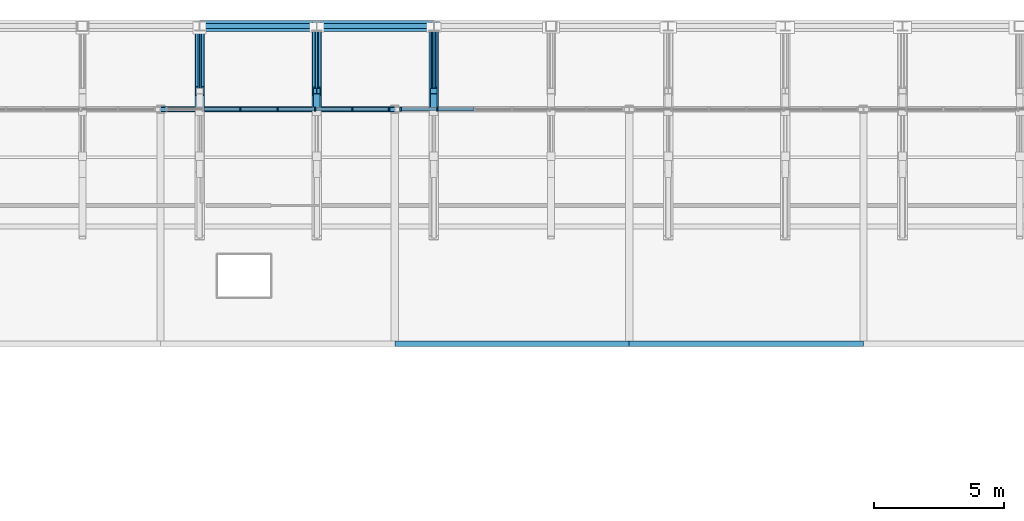
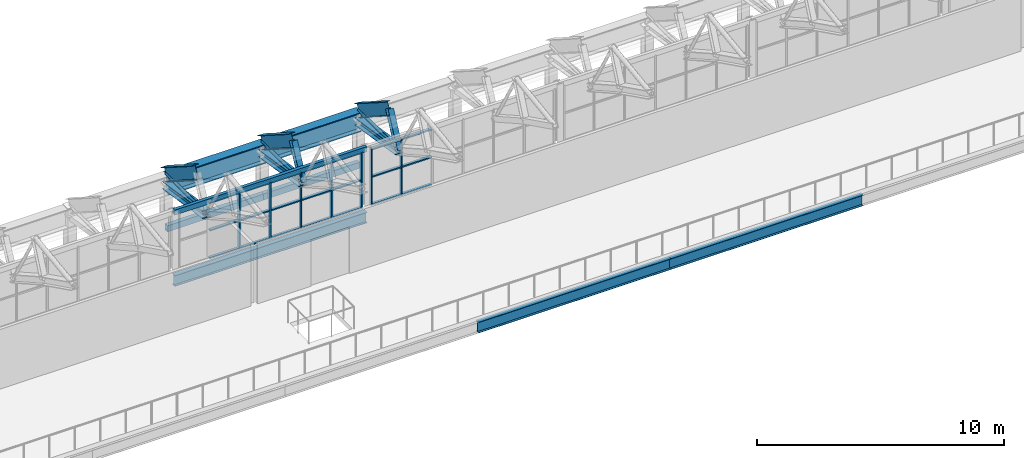
# One storey, part 68 of 134: 36 members, 11 beams, 2 elements without a shape of their own.
"""IFC4 building model written with IfcOpenShell, lengths in metres."""

from ifc_helpers import new_model, si_unit, direction, frame, origin, origin_2d, place, context, subcontext, project, spatial, rectangle, hollow_rectangle, hollow_circle, i_section, extrude, material, layer, layer_set, material_profile, profile_set, type_object, element, aggregate, save


model = new_model("IFC4")

# Units and contexts
model_context = context("Model", 3, precision=1e-05, world=origin(), true_north=direction((0.0, 1.0)))
body_context = subcontext(model_context, "Body", "Model", "MODEL_VIEW")
ifc_project = project(units=[si_unit("LENGTHUNIT", "METRE"), si_unit("AREAUNIT", "SQUARE_METRE"), si_unit("VOLUMEUNIT", "CUBIC_METRE"), si_unit("PLANEANGLEUNIT", "RADIAN"), si_unit("MASSUNIT", "GRAM", prefix="KILO")], contexts=[model_context])

# Site, building, storey
site_placement = place(None, origin())
site = spatial("IfcSite", under=ifc_project, at=site_placement, CompositionType="ELEMENT")
building_placement = place(site_placement, origin())
building = spatial("IfcBuilding", under=site, at=building_placement, Name="Cazmaro Siding Exhibition Halls", CompositionType="ELEMENT")
storey_placement = place(building_placement, frame((0.0, 0.0, 12.0)))
storey = spatial("IfcBuildingStorey", under=building, at=storey_placement, Name="L02", CompositionType="ELEMENT", Elevation=12.0)

# Beams
ifc_material_1 = material(Name="Steel ASTM A992 Grade 50", Category="steel")
ifc_material_profile_1 = material_profile(ifc_material_1, i_section(OverallWidth=0.327880859375, OverallDepth=0.626953125, WebThickness=0.01708984375, FlangeThickness=0.028076171875, at=origin_2d()), Name="W24X146")
ifc_profile_set_1 = profile_set([ifc_material_profile_1], Name="Steel ASTM A992 Grade 50")
beam_type_1 = type_object("IfcBeamType", Name="AR-01", PredefinedType="USERDEFINED", material=ifc_profile_set_1)
beam_1_placement = place(storey_placement, frame((85.5, 121.5, 3.89306640625), z_axis=(0.0, 0.843339173298, -0.537381650954), x_axis=(-1.0, 0.0, 0.0)))
element("IfcBeam", 1, at=beam_1_placement, inside=storey, type_object=beam_type_1, Name="Space frame barrel vault arched rib AR-01 BM-0774", ObjectType="ARCHED RIB", PredefinedType="USERDEFINED", context=body_context, shape_type="SweptSolid", body=[
    extrude(i_section(OverallWidth=0.327880859375, OverallDepth=0.626953125, WebThickness=0.01708984375, FlangeThickness=0.028076171875, at=origin_2d()), origin(), (0.0, 0.0, 1.0), 2.96435546875),
])
ifc_material_2 = material(Name="Steel ASTM A992 Grade 50", Category="steel")
ifc_material_profile_2 = material_profile(ifc_material_2, i_section(OverallWidth=0.324951171875, OverallDepth=0.612060546875, WebThickness=0.012939453125, FlangeThickness=0.01904296875, at=origin_2d()), Name="W24X104")
ifc_profile_set_2 = profile_set([ifc_material_profile_2], Name="Steel ASTM A992 Grade 50")
beam_type_2 = type_object("IfcBeamType", Name="AR-02", PredefinedType="USERDEFINED", material=ifc_profile_set_2)
beam_2_placement = place(storey_placement, frame((90.0, 121.5, 3.89306640625), z_axis=(0.0, 0.843339173298, -0.537381650954), x_axis=(-1.0, 0.0, 0.0)))
element("IfcBeam", 2, at=beam_2_placement, inside=storey, type_object=beam_type_2, Name="Space frame barrel vault arched rib AR-02 BM-0798", ObjectType="ARCHED RIB", PredefinedType="USERDEFINED", context=body_context, shape_type="SweptSolid", body=[
    extrude(i_section(OverallWidth=0.324951171875, OverallDepth=0.612060546875, WebThickness=0.012939453125, FlangeThickness=0.01904296875, at=origin_2d()), origin(), (0.0, 0.0, 1.0), 2.96435546875),
])
ifc_material_3 = material(Name="Steel ASTM A992 Grade 50", Category="steel")
ifc_material_profile_3 = material_profile(ifc_material_3, i_section(OverallWidth=0.22900390625, OverallDepth=0.612060546875, WebThickness=0.011962890625, FlangeThickness=0.02001953125, at=origin_2d()), Name="W24X84")
ifc_profile_set_3 = profile_set([ifc_material_profile_3], Name="Steel ASTM A992 Grade 50")
beam_type_3 = type_object("IfcBeamType", Name="AR-03", PredefinedType="USERDEFINED", material=ifc_profile_set_3)
beam_3_placement = place(storey_placement, frame((94.5, 121.5, 3.89306640625), z_axis=(0.0, 0.843339173298, -0.537381650954), x_axis=(-1.0, 0.0, 0.0)))
element("IfcBeam", 3, at=beam_3_placement, inside=storey, type_object=beam_type_3, Name="Space frame barrel vault arched rib AR-03 BM-0822", ObjectType="ARCHED RIB", PredefinedType="USERDEFINED", context=body_context, shape_type="SweptSolid", body=[
    extrude(i_section(OverallWidth=0.22900390625, OverallDepth=0.612060546875, WebThickness=0.011962890625, FlangeThickness=0.02001953125, at=origin_2d()), origin(), (0.0, 0.0, 1.0), 2.96435546875),
])
ifc_material_4 = material(Name="Steel ASTM A992 Grade 50", Category="steel")
ifc_material_profile_4 = material_profile(ifc_material_4, i_section(OverallWidth=0.2099609375, OverallDepth=0.535888671875, WebThickness=0.010986328125, FlangeThickness=0.01708984375, at=origin_2d()), Name="W21X68")
ifc_profile_set_4 = profile_set([ifc_material_profile_4], Name="Steel ASTM A992 Grade 50")
beam_type_4 = type_object("IfcBeamType", Name="B-02", PredefinedType="BEAM", material=ifc_profile_set_4)
for number, where, z_axis, x_axis, name in (
    (4, (84.0, 120.800048828125, -0.488037109375), (1.0, 0.0, 0.0), (0.0, 1.0, 0.0), "Beam B-02 BM-0411"),
    (5, (93.0, 111.800048828125, -0.488037109375), (1.0, 0.0, 0.0), (0.0, 1.0, 0.0), "Beam B-02 BM-0413"),
    (6, (102.0, 111.800048828125, -0.488037109375), (1.0, 0.0, 0.0), (0.0, 1.0, 0.0), "Beam B-02 BM-0416"),
):
    element("IfcBeam", number, at=place(storey_placement, frame(where, z_axis=z_axis, x_axis=x_axis)), inside=storey, type_object=beam_type_4, Name=name, PredefinedType="BEAM", context=body_context, shape_type="SweptSolid", body=[
        extrude(i_section(OverallWidth=0.2099609375, OverallDepth=0.535888671875, WebThickness=0.010986328125, FlangeThickness=0.01708984375, at=origin_2d()), origin(), (0.0, 0.0, 1.0), 9.0),
    ])

# Curtain wall, members
ifc_material_5 = material(Name="Anodized Bronze Aluminum and Solar-Control Low-E Glazing", Category="aluminium")
ifc_layer = layer(ifc_material_5, 0.159912109375)
ifc_layer_set = layer_set([ifc_layer], Name="Anodized Bronze Aluminum and Solar-Control Low-E Glazing")
curtain_wall_type = type_object("IfcCurtainWallType", Name="CWS-04", PredefinedType="USERDEFINED", material=ifc_layer_set)
curtain_wall_1_placement = place(storey_placement, origin())
curtain_wall_1 = element("IfcCurtainWall", 7, at=curtain_wall_1_placement, inside=storey, type_object=curtain_wall_type, Name="Clerestory Curtain Wall CWS-04 CW-018", ObjectType="CLERESTORY CURTAIN WALL", PredefinedType="USERDEFINED")
ifc_material_6 = material(Name="Anodized Bronze Extruded Aluminum", Category="aluminium")
ifc_material_profile_5 = material_profile(ifc_material_6, rectangle(XDim=0.159912109375, YDim=0.06005859375, at=origin_2d()), Name="CWM-04")
ifc_profile_set_5 = profile_set([ifc_material_profile_5], Name="Anodized Bronze Extruded Aluminum")
member_type_1 = type_object("IfcMemberType", Name="CWM-04", PredefinedType="MULLION", material=ifc_profile_set_5)
member_1_placement = place(storey_placement, frame((92.77294921875, 120.800048828125, 0.0), z_axis=(0.0, 0.0, 1.0), x_axis=(0.0, -1.0, 0.0)))
member_1 = element("IfcMember", 8, at=member_1_placement, type_object=member_type_1, Name="CWS-04 mullion 1", PredefinedType="MULLION", context=body_context, shape_type="SweptSolid", body=[
    extrude(rectangle(XDim=0.159912109375, YDim=0.06005859375, at=origin_2d()), origin(), (0.0, 0.0, 1.0), 2.800048828125),
])
member_2_placement = place(storey_placement, frame((91.36865234375, 120.800048828125, 0.0), z_axis=(0.0, 0.0, 1.0), x_axis=(0.0, -1.0, 0.0)))
member_2 = element("IfcMember", 9, at=member_2_placement, type_object=member_type_1, Name="CWS-04 mullion 2", PredefinedType="MULLION", context=body_context, shape_type="SweptSolid", body=[
    extrude(rectangle(XDim=0.159912109375, YDim=0.06005859375, at=origin_2d()), origin(), (0.0, 0.0, 1.0), 2.800048828125),
])
member_3_placement = place(storey_placement, frame((89.934326171875, 120.800048828125, 0.0), z_axis=(0.0, 0.0, 1.0), x_axis=(0.0, -1.0, 0.0)))
member_3 = element("IfcMember", 10, at=member_3_placement, type_object=member_type_1, Name="CWS-04 mullion 3", PredefinedType="MULLION", context=body_context, shape_type="SweptSolid", body=[
    extrude(rectangle(XDim=0.159912109375, YDim=0.06005859375, at=origin_2d()), origin(), (0.0, 0.0, 1.0), 2.800048828125),
])
member_4_placement = place(storey_placement, frame((88.5, 120.800048828125, 0.0), z_axis=(0.0, 0.0, 1.0), x_axis=(0.0, -1.0, 0.0)))
member_4 = element("IfcMember", 11, at=member_4_placement, type_object=member_type_1, Name="CWS-04 mullion 4", PredefinedType="MULLION", context=body_context, shape_type="SweptSolid", body=[
    extrude(rectangle(XDim=0.159912109375, YDim=0.06005859375, at=origin_2d()), origin(), (0.0, 0.0, 1.0), 2.800048828125),
])
member_5_placement = place(storey_placement, frame((87.065673828125, 120.800048828125, 0.0), z_axis=(0.0, 0.0, 1.0), x_axis=(0.0, -1.0, 0.0)))
member_5 = element("IfcMember", 12, at=member_5_placement, type_object=member_type_1, Name="CWS-04 mullion 5", PredefinedType="MULLION", context=body_context, shape_type="SweptSolid", body=[
    extrude(rectangle(XDim=0.159912109375, YDim=0.06005859375, at=origin_2d()), origin(), (0.0, 0.0, 1.0), 2.800048828125),
])

curtain_wall_2_placement = place(storey_placement, origin())
curtain_wall_2 = element("IfcCurtainWall", 13, at=curtain_wall_2_placement, inside=storey, type_object=curtain_wall_type, Name="Clerestory Curtain Wall CWS-04 CW-023", ObjectType="CLERESTORY CURTAIN WALL", PredefinedType="USERDEFINED")
member_6_placement = place(storey_placement, frame((94.63134765625, 120.800048828125, 0.0), z_axis=(0.0, 0.0, 1.0), x_axis=(0.0, -1.0, 0.0)))
member_6 = element("IfcMember", 14, at=member_6_placement, type_object=member_type_1, Name="CWS-04 mullion 6", PredefinedType="MULLION", context=body_context, shape_type="SweptSolid", body=[
    extrude(rectangle(XDim=0.159912109375, YDim=0.06005859375, at=origin_2d()), origin(), (0.0, 0.0, 1.0), 2.800048828125),
])
member_7_placement = place(storey_placement, frame((93.22705078125, 120.800048828125, 0.0), z_axis=(0.0, 0.0, 1.0), x_axis=(0.0, -1.0, 0.0)))
member_7 = element("IfcMember", 15, at=member_7_placement, type_object=member_type_1, Name="CWS-04 mullion 7", PredefinedType="MULLION", context=body_context, shape_type="SweptSolid", body=[
    extrude(rectangle(XDim=0.159912109375, YDim=0.06005859375, at=origin_2d()), origin(), (0.0, 0.0, 1.0), 2.800048828125),
])

# Member
ifc_material_7 = material(Name="Anodized Bronze Extruded Aluminum", Category="aluminium")
ifc_material_profile_6 = material_profile(ifc_material_7, rectangle(XDim=0.139892578125, YDim=0.06005859375, at=origin_2d()), Name="CWT-04")
ifc_profile_set_6 = profile_set([ifc_material_profile_6], Name="Anodized Bronze Extruded Aluminum")
member_type_2 = type_object("IfcMemberType", Name="CWT-04", PredefinedType="MULLION", material=ifc_profile_set_6)
member_8_placement = place(storey_placement, frame((92.742919921875, 120.800048828125, 0.030029296875), z_axis=(-1.0, 0.0, 0.0), x_axis=(0.0, -1.0, 0.0)))
member_8 = element("IfcMember", 16, at=member_8_placement, type_object=member_type_2, Name="CWS-04 transom 1.1", ObjectType="TRANSOM", PredefinedType="USERDEFINED", context=body_context, shape_type="SweptSolid", body=[
    extrude(rectangle(XDim=0.139892578125, YDim=0.06005859375, at=origin_2d()), origin(), (0.0, 0.0, 1.0), 1.34423828125),
])

member_9_placement = place(storey_placement, frame((92.742919921875, 120.800048828125, 1.39990234375), z_axis=(-1.0, 0.0, 0.0), x_axis=(0.0, -1.0, 0.0)))
member_9 = element("IfcMember", 17, at=member_9_placement, type_object=member_type_2, Name="CWS-04 transom 1.2", ObjectType="TRANSOM", PredefinedType="USERDEFINED", context=body_context, shape_type="SweptSolid", body=[
    extrude(rectangle(XDim=0.139892578125, YDim=0.06005859375, at=origin_2d()), origin(), (0.0, 0.0, 1.0), 1.34423828125),
])

member_10_placement = place(storey_placement, frame((92.742919921875, 120.800048828125, 2.77001953125), z_axis=(-1.0, 0.0, 0.0), x_axis=(0.0, -1.0, 0.0)))
member_10 = element("IfcMember", 18, at=member_10_placement, type_object=member_type_2, Name="CWS-04 transom 1.3", ObjectType="TRANSOM", PredefinedType="USERDEFINED", context=body_context, shape_type="SweptSolid", body=[
    extrude(rectangle(XDim=0.139892578125, YDim=0.06005859375, at=origin_2d()), origin(), (0.0, 0.0, 1.0), 1.34423828125),
])

member_11_placement = place(storey_placement, frame((91.338623046875, 120.800048828125, 0.030029296875), z_axis=(-1.0, 0.0, 0.0), x_axis=(0.0, -1.0, 0.0)))
member_11 = element("IfcMember", 19, at=member_11_placement, type_object=member_type_2, Name="CWS-04 transom 2.1", ObjectType="TRANSOM", PredefinedType="USERDEFINED", context=body_context, shape_type="SweptSolid", body=[
    extrude(rectangle(XDim=0.139892578125, YDim=0.06005859375, at=origin_2d()), origin(), (0.0, 0.0, 1.0), 1.374267578125),
])

member_12_placement = place(storey_placement, frame((91.338623046875, 120.800048828125, 1.39990234375), z_axis=(-1.0, 0.0, 0.0), x_axis=(0.0, -1.0, 0.0)))
member_12 = element("IfcMember", 20, at=member_12_placement, type_object=member_type_2, Name="CWS-04 transom 2.2", ObjectType="TRANSOM", PredefinedType="USERDEFINED", context=body_context, shape_type="SweptSolid", body=[
    extrude(rectangle(XDim=0.139892578125, YDim=0.06005859375, at=origin_2d()), origin(), (0.0, 0.0, 1.0), 1.374267578125),
])

member_13_placement = place(storey_placement, frame((91.338623046875, 120.800048828125, 2.77001953125), z_axis=(-1.0, 0.0, 0.0), x_axis=(0.0, -1.0, 0.0)))
member_13 = element("IfcMember", 21, at=member_13_placement, type_object=member_type_2, Name="CWS-04 transom 2.3", ObjectType="TRANSOM", PredefinedType="USERDEFINED", context=body_context, shape_type="SweptSolid", body=[
    extrude(rectangle(XDim=0.139892578125, YDim=0.06005859375, at=origin_2d()), origin(), (0.0, 0.0, 1.0), 1.374267578125),
])

member_14_placement = place(storey_placement, frame((89.904296875, 120.800048828125, 0.030029296875), z_axis=(-1.0, 0.0, 0.0), x_axis=(0.0, -1.0, 0.0)))
member_14 = element("IfcMember", 22, at=member_14_placement, type_object=member_type_2, Name="CWS-04 transom 3.1", ObjectType="TRANSOM", PredefinedType="USERDEFINED", context=body_context, shape_type="SweptSolid", body=[
    extrude(rectangle(XDim=0.139892578125, YDim=0.06005859375, at=origin_2d()), origin(), (0.0, 0.0, 1.0), 1.374267578125),
])

member_15_placement = place(storey_placement, frame((89.904296875, 120.800048828125, 1.39990234375), z_axis=(-1.0, 0.0, 0.0), x_axis=(0.0, -1.0, 0.0)))
member_15 = element("IfcMember", 23, at=member_15_placement, type_object=member_type_2, Name="CWS-04 transom 3.2", ObjectType="TRANSOM", PredefinedType="USERDEFINED", context=body_context, shape_type="SweptSolid", body=[
    extrude(rectangle(XDim=0.139892578125, YDim=0.06005859375, at=origin_2d()), origin(), (0.0, 0.0, 1.0), 1.374267578125),
])

member_16_placement = place(storey_placement, frame((89.904296875, 120.800048828125, 2.77001953125), z_axis=(-1.0, 0.0, 0.0), x_axis=(0.0, -1.0, 0.0)))
member_16 = element("IfcMember", 24, at=member_16_placement, type_object=member_type_2, Name="CWS-04 transom 3.3", ObjectType="TRANSOM", PredefinedType="USERDEFINED", context=body_context, shape_type="SweptSolid", body=[
    extrude(rectangle(XDim=0.139892578125, YDim=0.06005859375, at=origin_2d()), origin(), (0.0, 0.0, 1.0), 1.374267578125),
])

member_17_placement = place(storey_placement, frame((88.469970703125, 120.800048828125, 0.030029296875), z_axis=(-1.0, 0.0, 0.0), x_axis=(0.0, -1.0, 0.0)))
member_17 = element("IfcMember", 25, at=member_17_placement, type_object=member_type_2, Name="CWS-04 transom 4.1", ObjectType="TRANSOM", PredefinedType="USERDEFINED", context=body_context, shape_type="SweptSolid", body=[
    extrude(rectangle(XDim=0.139892578125, YDim=0.06005859375, at=origin_2d()), origin(), (0.0, 0.0, 1.0), 1.374267578125),
])

member_18_placement = place(storey_placement, frame((88.469970703125, 120.800048828125, 1.39990234375), z_axis=(-1.0, 0.0, 0.0), x_axis=(0.0, -1.0, 0.0)))
member_18 = element("IfcMember", 26, at=member_18_placement, type_object=member_type_2, Name="CWS-04 transom 4.2", ObjectType="TRANSOM", PredefinedType="USERDEFINED", context=body_context, shape_type="SweptSolid", body=[
    extrude(rectangle(XDim=0.139892578125, YDim=0.06005859375, at=origin_2d()), origin(), (0.0, 0.0, 1.0), 1.374267578125),
])

member_19_placement = place(storey_placement, frame((88.469970703125, 120.800048828125, 2.77001953125), z_axis=(-1.0, 0.0, 0.0), x_axis=(0.0, -1.0, 0.0)))
member_19 = element("IfcMember", 27, at=member_19_placement, type_object=member_type_2, Name="CWS-04 transom 4.3", ObjectType="TRANSOM", PredefinedType="USERDEFINED", context=body_context, shape_type="SweptSolid", body=[
    extrude(rectangle(XDim=0.139892578125, YDim=0.06005859375, at=origin_2d()), origin(), (0.0, 0.0, 1.0), 1.374267578125),
])

member_20_placement = place(storey_placement, frame((87.03564453125, 120.800048828125, 0.030029296875), z_axis=(-1.0, 0.0, 0.0), x_axis=(0.0, -1.0, 0.0)))
member_20 = element("IfcMember", 28, at=member_20_placement, type_object=member_type_2, Name="CWS-04 transom 5.1", ObjectType="TRANSOM", PredefinedType="USERDEFINED", context=body_context, shape_type="SweptSolid", body=[
    extrude(rectangle(XDim=0.139892578125, YDim=0.06005859375, at=origin_2d()), origin(), (0.0, 0.0, 1.0), 1.374267578125),
])

member_21_placement = place(storey_placement, frame((87.03564453125, 120.800048828125, 1.39990234375), z_axis=(-1.0, 0.0, 0.0), x_axis=(0.0, -1.0, 0.0)))
member_21 = element("IfcMember", 29, at=member_21_placement, type_object=member_type_2, Name="CWS-04 transom 5.2", ObjectType="TRANSOM", PredefinedType="USERDEFINED", context=body_context, shape_type="SweptSolid", body=[
    extrude(rectangle(XDim=0.139892578125, YDim=0.06005859375, at=origin_2d()), origin(), (0.0, 0.0, 1.0), 1.374267578125),
])

member_22_placement = place(storey_placement, frame((87.03564453125, 120.800048828125, 2.77001953125), z_axis=(-1.0, 0.0, 0.0), x_axis=(0.0, -1.0, 0.0)))
member_22 = element("IfcMember", 30, at=member_22_placement, type_object=member_type_2, Name="CWS-04 transom 5.3", ObjectType="TRANSOM", PredefinedType="USERDEFINED", context=body_context, shape_type="SweptSolid", body=[
    extrude(rectangle(XDim=0.139892578125, YDim=0.06005859375, at=origin_2d()), origin(), (0.0, 0.0, 1.0), 1.374267578125),
])

aggregate(curtain_wall_1, [member_1, member_2, member_3, member_4, member_5, member_8, member_9, member_10, member_11, member_12, member_13, member_14, member_15, member_16, member_17, member_18, member_19, member_20, member_21, member_22])

member_23_placement = place(storey_placement, frame((96.03564453125, 120.800048828125, 0.030029296875), z_axis=(-1.0, 0.0, 0.0), x_axis=(0.0, -1.0, 0.0)))
member_23 = element("IfcMember", 31, at=member_23_placement, type_object=member_type_2, Name="CWS-04 transom 5.1", ObjectType="TRANSOM", PredefinedType="USERDEFINED", context=body_context, shape_type="SweptSolid", body=[
    extrude(rectangle(XDim=0.139892578125, YDim=0.06005859375, at=origin_2d()), origin(), (0.0, 0.0, 1.0), 1.374267578125),
])

member_24_placement = place(storey_placement, frame((96.03564453125, 120.800048828125, 1.39990234375), z_axis=(-1.0, 0.0, 0.0), x_axis=(0.0, -1.0, 0.0)))
member_24 = element("IfcMember", 32, at=member_24_placement, type_object=member_type_2, Name="CWS-04 transom 5.2", ObjectType="TRANSOM", PredefinedType="USERDEFINED", context=body_context, shape_type="SweptSolid", body=[
    extrude(rectangle(XDim=0.139892578125, YDim=0.06005859375, at=origin_2d()), origin(), (0.0, 0.0, 1.0), 1.374267578125),
])

member_25_placement = place(storey_placement, frame((96.03564453125, 120.800048828125, 2.77001953125), z_axis=(-1.0, 0.0, 0.0), x_axis=(0.0, -1.0, 0.0)))
member_25 = element("IfcMember", 33, at=member_25_placement, type_object=member_type_2, Name="CWS-04 transom 5.3", ObjectType="TRANSOM", PredefinedType="USERDEFINED", context=body_context, shape_type="SweptSolid", body=[
    extrude(rectangle(XDim=0.139892578125, YDim=0.06005859375, at=origin_2d()), origin(), (0.0, 0.0, 1.0), 1.374267578125),
])

member_26_placement = place(storey_placement, frame((94.601318359375, 120.800048828125, 0.030029296875), z_axis=(-1.0, 0.0, 0.0), x_axis=(0.0, -1.0, 0.0)))
member_26 = element("IfcMember", 34, at=member_26_placement, type_object=member_type_2, Name="CWS-04 transom 6.1", ObjectType="TRANSOM", PredefinedType="USERDEFINED", context=body_context, shape_type="SweptSolid", body=[
    extrude(rectangle(XDim=0.139892578125, YDim=0.06005859375, at=origin_2d()), origin(), (0.0, 0.0, 1.0), 1.34423828125),
])

member_27_placement = place(storey_placement, frame((94.601318359375, 120.800048828125, 1.39990234375), z_axis=(-1.0, 0.0, 0.0), x_axis=(0.0, -1.0, 0.0)))
member_27 = element("IfcMember", 35, at=member_27_placement, type_object=member_type_2, Name="CWS-04 transom 6.2", ObjectType="TRANSOM", PredefinedType="USERDEFINED", context=body_context, shape_type="SweptSolid", body=[
    extrude(rectangle(XDim=0.139892578125, YDim=0.06005859375, at=origin_2d()), origin(), (0.0, 0.0, 1.0), 1.34423828125),
])

member_28_placement = place(storey_placement, frame((94.601318359375, 120.800048828125, 2.77001953125), z_axis=(-1.0, 0.0, 0.0), x_axis=(0.0, -1.0, 0.0)))
member_28 = element("IfcMember", 36, at=member_28_placement, type_object=member_type_2, Name="CWS-04 transom 6.3", ObjectType="TRANSOM", PredefinedType="USERDEFINED", context=body_context, shape_type="SweptSolid", body=[
    extrude(rectangle(XDim=0.139892578125, YDim=0.06005859375, at=origin_2d()), origin(), (0.0, 0.0, 1.0), 1.34423828125),
])

aggregate(curtain_wall_2, [member_6, member_7, member_23, member_24, member_25, member_26, member_27, member_28])

# Beams
ifc_material_8 = material(Name="Steel ASTM A992 Grade 50", Category="steel")
ifc_material_profile_7 = material_profile(ifc_material_8, i_section(OverallWidth=0.424072265625, OverallDepth=0.947021484375, WebThickness=0.02392578125, FlangeThickness=0.04296875, at=origin_2d()), Name="W36X302")
ifc_profile_set_7 = profile_set([ifc_material_profile_7], Name="Steel ASTM A992 Grade 50")
beam_type_5 = type_object("IfcBeamType", Name="G-01", PredefinedType="USERDEFINED", material=ifc_profile_set_7)
for number, where, z_axis, x_axis, name in (
    (37, (85.5, 124.0, 1.826904296875), (1.0, 0.0, 0.0), (0.0, 1.0, 0.0), "Beam G-01 BM-0120"),
    (38, (90.0, 124.0, 1.826904296875), (1.0, 0.0, 0.0), (0.0, 1.0, 0.0), "Beam G-01 BM-0126"),
):
    element("IfcBeam", number, at=place(storey_placement, frame(where, z_axis=z_axis, x_axis=x_axis)), inside=storey, type_object=beam_type_5, Name=name, ObjectType="GIRDER", PredefinedType="USERDEFINED", context=body_context, shape_type="SweptSolid", body=[
        extrude(i_section(OverallWidth=0.424072265625, OverallDepth=0.947021484375, WebThickness=0.02392578125, FlangeThickness=0.04296875, at=origin_2d()), origin(), (0.0, 0.0, 1.0), 4.5),
    ])
ifc_material_9 = material(Name="Steel ASTM A500 Grade C", Category="steel")
ifc_material_profile_8 = material_profile(ifc_material_9, hollow_rectangle(XDim=0.202880859375, YDim=0.304931640625, WallThickness=0.011962890625, at=origin_2d()), Name="HSS12X8X1/2")
ifc_profile_set_8 = profile_set([ifc_material_profile_8], Name="Steel ASTM A500 Grade C")
beam_type_6 = type_object("IfcBeamType", Name="SP-01", PredefinedType="SPANDREL", material=ifc_profile_set_8)
for number, where, z_axis, x_axis, name in (
    (39, (85.5, 124.0, -0.373046875), (1.0, 0.0, 0.0), (0.0, 1.0, 0.0), "Beam SP-01 BM-0119"),
    (40, (90.0, 124.0, -0.373046875), (1.0, 0.0, 0.0), (0.0, 1.0, 0.0), "Beam SP-01 BM-0125"),
):
    element("IfcBeam", number, at=place(storey_placement, frame(where, z_axis=z_axis, x_axis=x_axis)), inside=storey, type_object=beam_type_6, Name=name, PredefinedType="SPANDREL", context=body_context, shape_type="SweptSolid", body=[
        extrude(hollow_rectangle(XDim=0.202880859375, YDim=0.304931640625, WallThickness=0.011962890625, at=origin_2d()), origin(), (0.0, 0.0, 1.0), 4.5),
    ])
ifc_material_10 = material(Name="Steel ASTM A500 Grade C", Category="steel")
ifc_material_profile_9 = material_profile(ifc_material_10, hollow_rectangle(XDim=0.152099609375, YDim=0.25390625, WallThickness=0.011962890625, at=origin_2d()), Name="HSS10X6X1/2")
ifc_profile_set_9 = profile_set([ifc_material_profile_9], Name="Steel ASTM A500 Grade C")
beam_type_7 = type_object("IfcBeamType", Name="SP-02", PredefinedType="SPANDREL", material=ifc_profile_set_9)
beam_4_placement = place(storey_placement, frame((84.0, 120.800048828125, 2.873046875), z_axis=(1.0, 0.0, 0.0), x_axis=(0.0, 1.0, 0.0)))
element("IfcBeam", 41, at=beam_4_placement, inside=storey, type_object=beam_type_7, Name="Beam SP-02 BM-0236", PredefinedType="SPANDREL", context=body_context, shape_type="SweptSolid", body=[
    extrude(hollow_rectangle(XDim=0.152099609375, YDim=0.25390625, WallThickness=0.011962890625, at=origin_2d()), origin(), (0.0, 0.0, 1.0), 9.0),
])

# Members
ifc_material_11 = material(Name="Steel ASTM A992 Grade 50", Category="steel")
ifc_material_profile_10 = material_profile(ifc_material_11, i_section(OverallWidth=0.37109375, OverallDepth=0.364013671875, WebThickness=0.012939453125, FlangeThickness=0.02197265625, at=origin_2d()), Name="W14X109")
ifc_profile_set_10 = profile_set([ifc_material_profile_10], Name="Steel ASTM A992 Grade 50")
member_type_3 = type_object("IfcMemberType", Name="TC-06", PredefinedType="CHORD", material=ifc_profile_set_10)
for number, where, z_axis, x_axis, name in (
    (42, (85.5, 120.72900390625, 2.305908203125), (0.0, 0.988252010809, -0.152833121839), (-1.0, 0.0, 0.0), "Space frame barrel vault bottom chord TC-06 MEM-0638"),
    (43, (90.0, 120.72900390625, 2.305908203125), (0.0, 0.988252010809, -0.152833121839), (-1.0, 0.0, 0.0), "Space frame barrel vault bottom chord TC-06 MEM-0709"),
    (44, (94.5, 120.72900390625, 2.305908203125), (0.0, 0.988252010809, -0.152833121839), (-1.0, 0.0, 0.0), "Space frame barrel vault bottom chord TC-06 MEM-0780"),
):
    element("IfcMember", number, at=place(storey_placement, frame(where, z_axis=z_axis, x_axis=x_axis)), inside=storey, type_object=member_type_3, Name=name, PredefinedType="CHORD", context=body_context, shape_type="SweptSolid", body=[
        extrude(i_section(OverallWidth=0.37109375, OverallDepth=0.364013671875, WebThickness=0.012939453125, FlangeThickness=0.02197265625, at=origin_2d()), origin(), (0.0, 0.0, 1.0), 3.309814453125),
    ])
ifc_material_12 = material(Name="Steel ASTM A992 Grade 50", Category="steel")
ifc_material_profile_11 = material_profile(ifc_material_12, i_section(OverallWidth=0.25390625, OverallDepth=0.25390625, WebThickness=0.009033203125, FlangeThickness=0.013916015625, at=origin_2d()), Name="W10X49")
ifc_profile_set_11 = profile_set([ifc_material_profile_11], Name="Steel ASTM A992 Grade 50")
member_type_4 = type_object("IfcMemberType", Name="TP-04", PredefinedType="POST", material=ifc_profile_set_11)
for number, where, z_axis, x_axis, name in (
    (45, (90.0, 120.72900390625, 2.305908203125), (0.0, 0.436945543824, 0.89948796086), (-1.0, 0.0, 0.0), "Space frame barrel vault post TP-04 MEM-0733"),
    (46, (94.5, 120.72900390625, 2.305908203125), (0.0, 0.436945543824, 0.89948796086), (-1.0, 0.0, 0.0), "Space frame barrel vault post TP-04 MEM-0804"),
):
    element("IfcMember", number, at=place(storey_placement, frame(where, z_axis=z_axis, x_axis=x_axis)), inside=storey, type_object=member_type_4, Name=name, PredefinedType="POST", context=body_context, shape_type="SweptSolid", body=[
        extrude(i_section(OverallWidth=0.25390625, OverallDepth=0.25390625, WebThickness=0.009033203125, FlangeThickness=0.013916015625, at=origin_2d()), origin(), (0.0, 0.0, 1.0), 1.764404296875),
    ])
ifc_material_13 = material(Name="Steel ASTM A500 Grade C", Category="steel")
ifc_material_profile_12 = material_profile(ifc_material_13, hollow_circle(Radius=0.070556640625, WallThickness=0.01904296875, at=origin_2d()), Name="PIPE5XXS")
ifc_profile_set_12 = profile_set([ifc_material_profile_12], Name="Steel ASTM A500 Grade C")
member_type_5 = type_object("IfcMemberType", Name="WB-07", PredefinedType="BRACE", material=ifc_profile_set_12)
for number, where, z_axis, x_axis, name in (
    (47, (85.5, 120.72900390625, 2.305908203125), (0.0, 0.999998395604, -0.001791309262), (-1.0, 0.0, 0.0), "Space frame barrel vault diagonal WB-07 MEM-0639"),
    (48, (90.0, 120.72900390625, 2.305908203125), (0.0, 0.999998395604, -0.001791309262), (-1.0, 0.0, 0.0), "Space frame barrel vault diagonal WB-07 MEM-0710"),
    (49, (94.5, 120.72900390625, 2.305908203125), (0.0, 0.999998395604, -0.001791309262), (-1.0, 0.0, 0.0), "Space frame barrel vault diagonal WB-07 MEM-0781"),
):
    element("IfcMember", number, at=place(storey_placement, frame(where, z_axis=z_axis, x_axis=x_axis)), inside=storey, type_object=member_type_5, Name=name, PredefinedType="BRACE", context=body_context, shape_type="SweptSolid", body=[
        extrude(hollow_circle(Radius=0.070556640625, WallThickness=0.01904296875, at=origin_2d()), origin(), (0.0, 0.0, 1.0), 3.27099609375),
    ])

save(model, "model.ifc")
